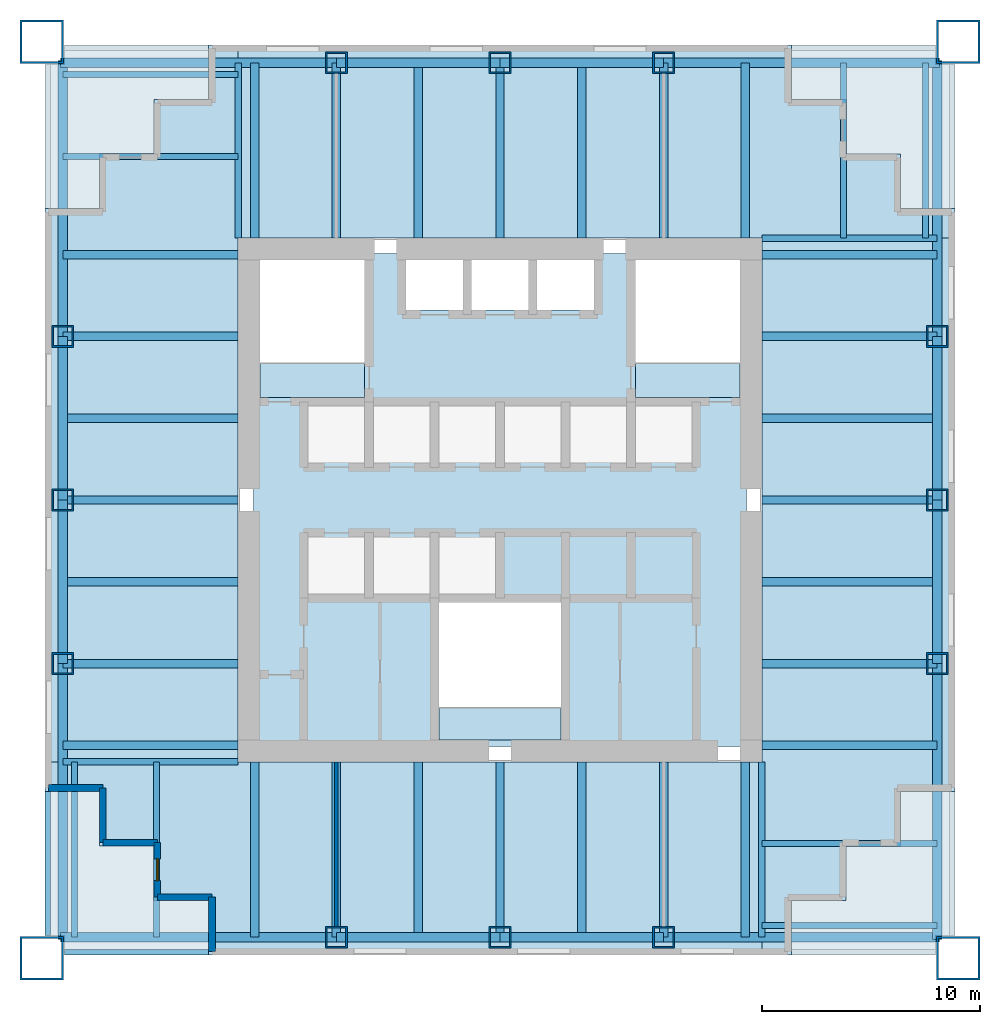
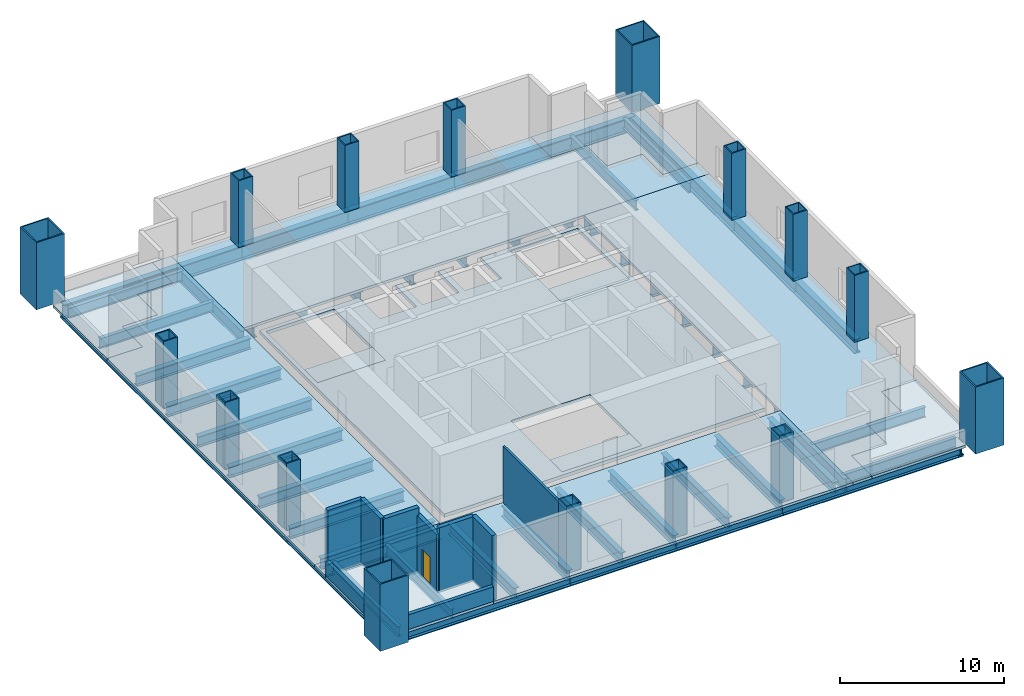
# One storey, part 1 of 5: 56 beams, 16 columns, 12 slabs, 9 walls, 1 door, 1 opening.
"""IFC4 building model written with IfcOpenShell, lengths in metres."""

from ifc_helpers import new_model, si_unit, direction, frame, frame_2d, origin, origin_2d, place, context, subcontext, project, spatial, polyline, rectangle, hollow_rectangle, i_section, outline, extrude, material, layer, layer_set, material_profile, profile_set, type_object, element, fill, save


model = new_model("IFC4")

# Units and contexts
model_context = context("Model", 3, precision=1e-05, world=origin(), true_north=direction((0.0, 1.0)))
body_context = subcontext(model_context, "Body", "Model", "MODEL_VIEW")
ifc_project = project(units=[si_unit("LENGTHUNIT", "METRE"), si_unit("AREAUNIT", "SQUARE_METRE"), si_unit("VOLUMEUNIT", "CUBIC_METRE"), si_unit("PLANEANGLEUNIT", "RADIAN"), si_unit("MASSUNIT", "GRAM", prefix="KILO")], contexts=[model_context])

# Site, building, storey
site_placement = place(None, origin())
site = spatial("IfcSite", under=ifc_project, at=site_placement, CompositionType="ELEMENT")
building_placement = place(site_placement, origin())
building = spatial("IfcBuilding", under=site, at=building_placement, Name="Tarangal Relay Tower", CompositionType="ELEMENT")
storey_placement = place(building_placement, frame((0.0, 0.0, 341.89990234375)))
storey = spatial("IfcBuildingStorey", under=building, at=storey_placement, Name="L76", CompositionType="ELEMENT", Elevation=341.89990234375)

# Columns
ifc_material_1 = material(Name="Steel ASTM A572 Grade 50", Category="steel")
ifc_material_profile_1 = material_profile(ifc_material_1, hollow_rectangle(XDim=2.0, YDim=2.0, WallThickness=0.094970703125, at=origin_2d()), Name="BOX2000X2000X95")
ifc_profile_set_1 = profile_set([ifc_material_profile_1], Name="Steel ASTM A572 Grade 50")
column_type_1 = type_object("IfcColumnType", Name="Mega column BOX2000X2000X95", PredefinedType="COLUMN", material=ifc_profile_set_1)
for number, where, z_axis, x_axis, name in (
    (1, (21.0, 21.0, 0.0), (0.0, 0.0, 1.0), (1.0, 0.0, 0.0), "Mega column MC4 NE L76"),
    (2, (21.0, -21.0, 0.0), (0.0, 0.0, 1.0), (1.0, 0.0, 0.0), "Mega column MC4 SE L76"),
    (3, (-21.0, -21.0, 0.0), (0.0, 0.0, 1.0), (1.0, 0.0, 0.0), "Mega column MC4 SW L76"),
    (4, (-21.0, 21.0, 0.0), (0.0, 0.0, 1.0), (1.0, 0.0, 0.0), "Mega column MC4 NW L76"),
):
    element("IfcColumn", number, at=place(storey_placement, frame(where, z_axis=z_axis, x_axis=x_axis)), inside=storey, type_object=column_type_1, Name=name, PredefinedType="COLUMN", context=body_context, shape_type="SweptSolid", body=[
        extrude(hollow_rectangle(XDim=2.0, YDim=2.0, WallThickness=0.094970703125, at=origin_2d()), origin(), (0.0, 0.0, 1.0), 5.0),
    ])
ifc_material_profile_2 = material_profile(ifc_material_1, hollow_rectangle(XDim=1.0, YDim=1.0, WallThickness=0.074951171875, at=origin_2d()), Name="BOX1000X1000X75")
ifc_profile_set_2 = profile_set([ifc_material_profile_2], Name="Steel ASTM A572 Grade 50")
column_type_2 = type_object("IfcColumnType", Name="Perimeter column BOX1000X1000X75", PredefinedType="COLUMN", material=ifc_profile_set_2)
for number, where, z_axis, x_axis, name in (
    (5, (-7.5, 20.0400390625, 0.0), (0.0, 0.0, 1.0), (1.0, 0.0, 0.0), "Perimeter column PC5 N L76"),
    (6, (0.0, 20.0400390625, 0.0), (0.0, 0.0, 1.0), (1.0, 0.0, 0.0), "Perimeter column PC5 N L76"),
    (7, (7.5, 20.0400390625, 0.0), (0.0, 0.0, 1.0), (1.0, 0.0, 0.0), "Perimeter column PC5 N L76"),
    (8, (20.0400390625, 7.5, 0.0), (0.0, 0.0, 1.0), (1.0, 0.0, 0.0), "Perimeter column PC5 E L76"),
    (9, (20.0400390625, 0.0, 0.0), (0.0, 0.0, 1.0), (1.0, 0.0, 0.0), "Perimeter column PC5 E L76"),
    (10, (20.0400390625, -7.5, 0.0), (0.0, 0.0, 1.0), (1.0, 0.0, 0.0), "Perimeter column PC5 E L76"),
    (11, (7.5, -20.0400390625, 0.0), (0.0, 0.0, 1.0), (1.0, 0.0, 0.0), "Perimeter column PC5 S L76"),
    (12, (0.0, -20.0400390625, 0.0), (0.0, 0.0, 1.0), (1.0, 0.0, 0.0), "Perimeter column PC5 S L76"),
    (13, (-7.5, -20.0400390625, 0.0), (0.0, 0.0, 1.0), (1.0, 0.0, 0.0), "Perimeter column PC5 S L76"),
    (14, (-20.0400390625, -7.5, 0.0), (0.0, 0.0, 1.0), (1.0, 0.0, 0.0), "Perimeter column PC5 W L76"),
    (15, (-20.0400390625, 0.0, 0.0), (0.0, 0.0, 1.0), (1.0, 0.0, 0.0), "Perimeter column PC5 W L76"),
    (16, (-20.0400390625, 7.5, 0.0), (0.0, 0.0, 1.0), (1.0, 0.0, 0.0), "Perimeter column PC5 W L76"),
):
    element("IfcColumn", number, at=place(storey_placement, frame(where, z_axis=z_axis, x_axis=x_axis)), inside=storey, type_object=column_type_2, Name=name, PredefinedType="COLUMN", context=body_context, shape_type="SweptSolid", body=[
        extrude(hollow_rectangle(XDim=1.0, YDim=1.0, WallThickness=0.074951171875, at=origin_2d()), origin(), (0.0, 0.0, 1.0), 5.0),
    ])

# Beams
ifc_material_2 = material(Name="Steel ASTM A992", Category="steel")
ifc_material_profile_3 = material_profile(ifc_material_2, i_section(OverallWidth=0.2666015625, OverallDepth=0.75439453125, WebThickness=0.01318359375, FlangeThickness=0.01708984375, at=origin_2d()), Name="W30X99")
ifc_profile_set_3 = profile_set([ifc_material_profile_3], Name="Steel ASTM A992")
beam_type_1 = type_object("IfcBeamType", Name="Corner beam W30X99", PredefinedType="JOIST", material=ifc_profile_set_3)
for number, where, z_axis, x_axis, name in (
    (17, (15.75, 12.0, -0.5771484375), (0.0, 1.0, 0.0), (-1.0, 0.0, 0.0), "Corner beam CB8 N L76"),
    (18, (19.5, 12.0, -0.5771484375), (0.0, 1.0, 0.0), (-1.0, 0.0, 0.0), "Corner beam CB8 N L76"),
    (19, (12.0, -15.75, -0.5771484375), (1.0, 0.0, 0.0), (0.0, 1.0, 0.0), "Corner beam CB8 E L76"),
    (20, (12.0, -19.5, -0.5771484375), (1.0, 0.0, 0.0), (0.0, 1.0, 0.0), "Corner beam CB8 E L76"),
    (21, (-15.75, -12.0, -0.5771484375), (0.0, -1.0, 0.0), (1.0, 0.0, 0.0), "Corner beam CB8 S L76"),
    (22, (-19.5, -12.0, -0.5771484375), (0.0, -1.0, 0.0), (1.0, 0.0, 0.0), "Corner beam CB8 S L76"),
    (23, (-12.0, 15.75, -0.5771484375), (-1.0, 0.0, 0.0), (0.0, -1.0, 0.0), "Corner beam CB8 W L76"),
    (24, (-12.0, 19.5, -0.5771484375), (-1.0, 0.0, 0.0), (0.0, -1.0, 0.0), "Corner beam CB8 W L76"),
):
    element("IfcBeam", number, at=place(storey_placement, frame(where, z_axis=z_axis, x_axis=x_axis)), inside=storey, type_object=beam_type_1, Name=name, PredefinedType="JOIST", context=body_context, shape_type="SweptSolid", body=[
        extrude(i_section(OverallWidth=0.2666015625, OverallDepth=0.75439453125, WebThickness=0.01318359375, FlangeThickness=0.01708984375, at=origin_2d()), origin(), (0.0, 0.0, 1.0), 8.0400390625),
    ])
ifc_material_profile_4 = material_profile(ifc_material_2, i_section(OverallWidth=0.307373046875, OverallDepth=0.927001953125, WebThickness=0.019287109375, FlangeThickness=0.031982421875, at=origin_2d()), Name="W36X194")
ifc_profile_set_4 = profile_set([ifc_material_profile_4], Name="Steel ASTM A992")
beam_type_2 = type_object("IfcBeamType", Name="Corner girder W36X194", PredefinedType="BEAM", material=ifc_profile_set_4)
for number, where, z_axis, x_axis, name in (
    (25, (12.0, 12.0, -0.66357421875), (1.0, 0.0, 0.0), (0.0, 1.0, 0.0), "Corner girder CG6 N L76"),
    (26, (12.0, -12.0, -0.66357421875), (0.0, -1.0, 0.0), (1.0, 0.0, 0.0), "Corner girder CG6 E L76"),
    (27, (-12.0, -12.0, -0.66357421875), (-1.0, 0.0, 0.0), (0.0, -1.0, 0.0), "Corner girder CG6 S L76"),
    (28, (-12.0, 12.0, -0.66357421875), (0.0, 1.0, 0.0), (-1.0, 0.0, 0.0), "Corner girder CG6 W L76"),
):
    element("IfcBeam", number, at=place(storey_placement, frame(where, z_axis=z_axis, x_axis=x_axis)), inside=storey, type_object=beam_type_2, Name=name, PredefinedType="BEAM", context=body_context, shape_type="SweptSolid", body=[
        extrude(i_section(OverallWidth=0.307373046875, OverallDepth=0.927001953125, WebThickness=0.019287109375, FlangeThickness=0.031982421875, at=origin_2d()), origin(), (0.0, 0.0, 1.0), 8.0400390625),
    ])
ifc_material_profile_5 = material_profile(ifc_material_2, i_section(OverallWidth=0.41650390625, OverallDepth=1.0693359375, WebThickness=0.0390625, FlangeThickness=0.070068359375, at=origin_2d()), Name="W40X503")
ifc_profile_set_5 = profile_set([ifc_material_profile_5], Name="Steel ASTM A992")
beam_type_3 = type_object("IfcBeamType", Name="Edge girder W40X503", PredefinedType="SPANDREL", material=ifc_profile_set_5)
beam_1_placement = place(storey_placement, frame((-20.14990234375, 20.0400390625, -0.734619140625), z_axis=(1.0, 0.0, 0.0), x_axis=(0.0, 1.0, 0.0)))
element("IfcBeam", 29, at=beam_1_placement, inside=storey, type_object=beam_type_3, Name="Edge girder EG8 N L76", PredefinedType="SPANDREL", context=body_context, shape_type="SweptSolid", body=[
    extrude(i_section(OverallWidth=0.41650390625, OverallDepth=1.0693359375, WebThickness=0.0390625, FlangeThickness=0.070068359375, at=origin_2d()), origin(), (0.0, 0.0, 1.0), 12.64990234375),
])
for number, where, z_axis, x_axis, name in (
    (30, (-7.5, 20.0400390625, -0.734619140625), (1.0, 0.0, 0.0), (0.0, 1.0, 0.0), "Edge girder EG8 N L76"),
    (31, (0.0, 20.0400390625, -0.734619140625), (1.0, 0.0, 0.0), (0.0, 1.0, 0.0), "Edge girder EG8 N L76"),
):
    element("IfcBeam", number, at=place(storey_placement, frame(where, z_axis=z_axis, x_axis=x_axis)), inside=storey, type_object=beam_type_3, Name=name, PredefinedType="SPANDREL", context=body_context, shape_type="SweptSolid", body=[
        extrude(i_section(OverallWidth=0.41650390625, OverallDepth=1.0693359375, WebThickness=0.0390625, FlangeThickness=0.070068359375, at=origin_2d()), origin(), (0.0, 0.0, 1.0), 7.5),
    ])
for number, where, z_axis, x_axis, name in (
    (32, (7.5, 20.0400390625, -0.734619140625), (1.0, 0.0, 0.0), (0.0, 1.0, 0.0), "Edge girder EG8 N L76"),
    (33, (20.0400390625, 20.14990234375, -0.734619140625), (0.0, -1.0, 0.0), (1.0, 0.0, 0.0), "Edge girder EG8 E L76"),
):
    element("IfcBeam", number, at=place(storey_placement, frame(where, z_axis=z_axis, x_axis=x_axis)), inside=storey, type_object=beam_type_3, Name=name, PredefinedType="SPANDREL", context=body_context, shape_type="SweptSolid", body=[
        extrude(i_section(OverallWidth=0.41650390625, OverallDepth=1.0693359375, WebThickness=0.0390625, FlangeThickness=0.070068359375, at=origin_2d()), origin(), (0.0, 0.0, 1.0), 12.64990234375),
    ])
for number, where, z_axis, x_axis, name in (
    (34, (20.0400390625, 7.5, -0.734619140625), (0.0, -1.0, 0.0), (1.0, 0.0, 0.0), "Edge girder EG8 E L76"),
    (35, (20.0400390625, 0.0, -0.734619140625), (0.0, -1.0, 0.0), (1.0, 0.0, 0.0), "Edge girder EG8 E L76"),
):
    element("IfcBeam", number, at=place(storey_placement, frame(where, z_axis=z_axis, x_axis=x_axis)), inside=storey, type_object=beam_type_3, Name=name, PredefinedType="SPANDREL", context=body_context, shape_type="SweptSolid", body=[
        extrude(i_section(OverallWidth=0.41650390625, OverallDepth=1.0693359375, WebThickness=0.0390625, FlangeThickness=0.070068359375, at=origin_2d()), origin(), (0.0, 0.0, 1.0), 7.5),
    ])
for number, where, z_axis, x_axis, name in (
    (36, (20.0400390625, -7.5, -0.734619140625), (0.0, -1.0, 0.0), (1.0, 0.0, 0.0), "Edge girder EG8 E L76"),
    (37, (20.14990234375, -20.0400390625, -0.734619140625), (-1.0, 0.0, 0.0), (0.0, -1.0, 0.0), "Edge girder EG8 S L76"),
):
    element("IfcBeam", number, at=place(storey_placement, frame(where, z_axis=z_axis, x_axis=x_axis)), inside=storey, type_object=beam_type_3, Name=name, PredefinedType="SPANDREL", context=body_context, shape_type="SweptSolid", body=[
        extrude(i_section(OverallWidth=0.41650390625, OverallDepth=1.0693359375, WebThickness=0.0390625, FlangeThickness=0.070068359375, at=origin_2d()), origin(), (0.0, 0.0, 1.0), 12.64990234375),
    ])
for number, where, z_axis, x_axis, name in (
    (38, (7.5, -20.0400390625, -0.734619140625), (-1.0, 0.0, 0.0), (0.0, -1.0, 0.0), "Edge girder EG8 S L76"),
    (39, (0.0, -20.0400390625, -0.734619140625), (-1.0, 0.0, 0.0), (0.0, -1.0, 0.0), "Edge girder EG8 S L76"),
):
    element("IfcBeam", number, at=place(storey_placement, frame(where, z_axis=z_axis, x_axis=x_axis)), inside=storey, type_object=beam_type_3, Name=name, PredefinedType="SPANDREL", context=body_context, shape_type="SweptSolid", body=[
        extrude(i_section(OverallWidth=0.41650390625, OverallDepth=1.0693359375, WebThickness=0.0390625, FlangeThickness=0.070068359375, at=origin_2d()), origin(), (0.0, 0.0, 1.0), 7.5),
    ])
for number, where, z_axis, x_axis, name in (
    (40, (-7.5, -20.0400390625, -0.734619140625), (-1.0, 0.0, 0.0), (0.0, -1.0, 0.0), "Edge girder EG8 S L76"),
    (41, (-20.0400390625, -20.14990234375, -0.734619140625), (0.0, 1.0, 0.0), (-1.0, 0.0, 0.0), "Edge girder EG8 W L76"),
):
    element("IfcBeam", number, at=place(storey_placement, frame(where, z_axis=z_axis, x_axis=x_axis)), inside=storey, type_object=beam_type_3, Name=name, PredefinedType="SPANDREL", context=body_context, shape_type="SweptSolid", body=[
        extrude(i_section(OverallWidth=0.41650390625, OverallDepth=1.0693359375, WebThickness=0.0390625, FlangeThickness=0.070068359375, at=origin_2d()), origin(), (0.0, 0.0, 1.0), 12.64990234375),
    ])
for number, where, z_axis, x_axis, name in (
    (42, (-20.0400390625, -7.5, -0.734619140625), (0.0, 1.0, 0.0), (-1.0, 0.0, 0.0), "Edge girder EG8 W L76"),
    (43, (-20.0400390625, 0.0, -0.734619140625), (0.0, 1.0, 0.0), (-1.0, 0.0, 0.0), "Edge girder EG8 W L76"),
):
    element("IfcBeam", number, at=place(storey_placement, frame(where, z_axis=z_axis, x_axis=x_axis)), inside=storey, type_object=beam_type_3, Name=name, PredefinedType="SPANDREL", context=body_context, shape_type="SweptSolid", body=[
        extrude(i_section(OverallWidth=0.41650390625, OverallDepth=1.0693359375, WebThickness=0.0390625, FlangeThickness=0.070068359375, at=origin_2d()), origin(), (0.0, 0.0, 1.0), 7.5),
    ])
beam_2_placement = place(storey_placement, frame((-20.0400390625, 7.5, -0.734619140625), z_axis=(0.0, 1.0, 0.0), x_axis=(-1.0, 0.0, 0.0)))
element("IfcBeam", 44, at=beam_2_placement, inside=storey, type_object=beam_type_3, Name="Edge girder EG8 W L76", PredefinedType="SPANDREL", context=body_context, shape_type="SweptSolid", body=[
    extrude(i_section(OverallWidth=0.41650390625, OverallDepth=1.0693359375, WebThickness=0.0390625, FlangeThickness=0.070068359375, at=origin_2d()), origin(), (0.0, 0.0, 1.0), 12.64990234375),
])
ifc_material_profile_6 = material_profile(ifc_material_2, i_section(OverallWidth=0.385986328125, OverallDepth=0.802490234375, WebThickness=0.023681640625, FlangeThickness=0.0419921875, at=origin_2d()), Name="W30X261")
ifc_profile_set_6 = profile_set([ifc_material_profile_6], Name="Steel ASTM A992")
beam_type_4 = type_object("IfcBeamType", Name="Floor beam W30X261", PredefinedType="BEAM", material=ifc_profile_set_6)
for number, where, z_axis, x_axis, name in (
    (45, (-11.25, 12.0, -0.601318359375), (0.0, 1.0, 0.0), (-1.0, 0.0, 0.0), "Floor beam RB13 N L76"),
    (46, (-7.5, 12.0, -0.601318359375), (0.0, 1.0, 0.0), (-1.0, 0.0, 0.0), "Floor beam RB13 N L76"),
    (47, (-3.75, 12.0, -0.601318359375), (0.0, 1.0, 0.0), (-1.0, 0.0, 0.0), "Floor beam RB13 N L76"),
    (48, (0.0, 12.0, -0.601318359375), (0.0, 1.0, 0.0), (-1.0, 0.0, 0.0), "Floor beam RB13 N L76"),
    (49, (3.75, 12.0, -0.601318359375), (0.0, 1.0, 0.0), (-1.0, 0.0, 0.0), "Floor beam RB13 N L76"),
    (50, (7.5, 12.0, -0.601318359375), (0.0, 1.0, 0.0), (-1.0, 0.0, 0.0), "Floor beam RB13 N L76"),
    (51, (11.25, 12.0, -0.601318359375), (0.0, 1.0, 0.0), (-1.0, 0.0, 0.0), "Floor beam RB13 N L76"),
    (52, (12.0, 11.25, -0.601318359375), (1.0, 0.0, 0.0), (0.0, 1.0, 0.0), "Floor beam RB13 E L76"),
    (53, (12.0, 7.5, -0.601318359375), (1.0, 0.0, 0.0), (0.0, 1.0, 0.0), "Floor beam RB13 E L76"),
    (54, (12.0, 3.75, -0.601318359375), (1.0, 0.0, 0.0), (0.0, 1.0, 0.0), "Floor beam RB13 E L76"),
    (55, (12.0, 0.0, -0.601318359375), (1.0, 0.0, 0.0), (0.0, 1.0, 0.0), "Floor beam RB13 E L76"),
    (56, (12.0, -3.75, -0.601318359375), (1.0, 0.0, 0.0), (0.0, 1.0, 0.0), "Floor beam RB13 E L76"),
    (57, (12.0, -7.5, -0.601318359375), (1.0, 0.0, 0.0), (0.0, 1.0, 0.0), "Floor beam RB13 E L76"),
    (58, (12.0, -11.25, -0.601318359375), (1.0, 0.0, 0.0), (0.0, 1.0, 0.0), "Floor beam RB13 E L76"),
    (59, (11.25, -12.0, -0.601318359375), (0.0, -1.0, 0.0), (1.0, 0.0, 0.0), "Floor beam RB13 S L76"),
    (60, (7.5, -12.0, -0.601318359375), (0.0, -1.0, 0.0), (1.0, 0.0, 0.0), "Floor beam RB13 S L76"),
    (61, (3.75, -12.0, -0.601318359375), (0.0, -1.0, 0.0), (1.0, 0.0, 0.0), "Floor beam RB13 S L76"),
    (62, (0.0, -12.0, -0.601318359375), (0.0, -1.0, 0.0), (1.0, 0.0, 0.0), "Floor beam RB13 S L76"),
    (63, (-3.75, -12.0, -0.601318359375), (0.0, -1.0, 0.0), (1.0, 0.0, 0.0), "Floor beam RB13 S L76"),
    (64, (-7.5, -12.0, -0.601318359375), (0.0, -1.0, 0.0), (1.0, 0.0, 0.0), "Floor beam RB13 S L76"),
    (65, (-11.25, -12.0, -0.601318359375), (0.0, -1.0, 0.0), (1.0, 0.0, 0.0), "Floor beam RB13 S L76"),
    (66, (-12.0, -11.25, -0.601318359375), (-1.0, 0.0, 0.0), (0.0, -1.0, 0.0), "Floor beam RB13 W L76"),
    (67, (-12.0, -7.5, -0.601318359375), (-1.0, 0.0, 0.0), (0.0, -1.0, 0.0), "Floor beam RB13 W L76"),
    (68, (-12.0, -3.75, -0.601318359375), (-1.0, 0.0, 0.0), (0.0, -1.0, 0.0), "Floor beam RB13 W L76"),
    (69, (-12.0, 0.0, -0.601318359375), (-1.0, 0.0, 0.0), (0.0, -1.0, 0.0), "Floor beam RB13 W L76"),
    (70, (-12.0, 3.75, -0.601318359375), (-1.0, 0.0, 0.0), (0.0, -1.0, 0.0), "Floor beam RB13 W L76"),
    (71, (-12.0, 7.5, -0.601318359375), (-1.0, 0.0, 0.0), (0.0, -1.0, 0.0), "Floor beam RB13 W L76"),
    (72, (-12.0, 11.25, -0.601318359375), (-1.0, 0.0, 0.0), (0.0, -1.0, 0.0), "Floor beam RB13 W L76"),
):
    element("IfcBeam", number, at=place(storey_placement, frame(where, z_axis=z_axis, x_axis=x_axis)), inside=storey, type_object=beam_type_4, Name=name, PredefinedType="BEAM", context=body_context, shape_type="SweptSolid", body=[
        extrude(i_section(OverallWidth=0.385986328125, OverallDepth=0.802490234375, WebThickness=0.023681640625, FlangeThickness=0.0419921875, at=origin_2d()), origin(), (0.0, 0.0, 1.0), 8.0400390625),
    ])

# Slabs
ifc_material_3 = material(Name="Concrete fc' 35 MPa", Category="concrete")
ifc_layer_1 = layer(ifc_material_3, 0.25)
ifc_layer_set_1 = layer_set([ifc_layer_1], Name="Core floor slab 250")
slab_type_1 = type_object("IfcSlabType", Name="Core floor slab 250", PredefinedType="FLOOR", material=ifc_layer_set_1)
slab_1_placement = place(storey_placement, frame((0.0, 0.0, -0.25)))
element("IfcSlab", 73, at=slab_1_placement, inside=storey, type_object=slab_type_1, Name="Core floor slab L76", PredefinedType="FLOOR", context=body_context, shape_type="SweptSolid", body=[
    extrude(outline(polyline([(11.300048828125, 11.300048828125), (11.300048828125, -11.300048828125), (-11.300048828125, -11.300048828125), (-11.300048828125, 11.300048828125), (-4.300048828125, 11.300048828125), (-4.300048828125, 8.699951171875), (-1.699951171875, 8.699951171875), (-1.699951171875, 11.300048828125), (-1.300048828125, 11.300048828125), (-1.300048828125, 8.699951171875), (1.300048828125, 8.699951171875), (1.300048828125, 11.300048828125), (1.699951171875, 11.300048828125), (1.699951171875, 8.699951171875), (4.300048828125, 8.699951171875), (4.300048828125, 11.300048828125), (11.300048828125, 11.300048828125)]), holes=[polyline([(-2.800048828125, -4.699951171875), (-2.800048828125, -11.0), (2.800048828125, -11.0), (2.800048828125, -4.699951171875), (-2.800048828125, -4.699951171875)]), polyline([(-6.199951171875, 11.0), (-11.0, 11.0), (-11.0, 4.699951171875), (-6.199951171875, 4.699951171875), (-6.199951171875, 11.0)]), polyline([(11.0, 11.0), (6.199951171875, 11.0), (6.199951171875, 4.699951171875), (11.0, 4.699951171875), (11.0, 11.0)])]), origin(), (0.0, 0.0, 1.0), 0.25),
])
ifc_layer_2 = layer(ifc_material_3, 0.199951171875)
ifc_layer_set_2 = layer_set([ifc_layer_2], Name="Floor slab 200")
slab_type_2 = type_object("IfcSlabType", Name="Floor slab 200", PredefinedType="FLOOR", material=ifc_layer_set_2)
slab_2_placement = place(storey_placement, frame((0.0, 0.0, -0.199951171875)))
element("IfcSlab", 74, at=slab_2_placement, inside=storey, type_object=slab_type_2, Name="Floor slab FS2 L76 north bay", PredefinedType="FLOOR", context=body_context, shape_type="SweptSolid", body=[
    extrude(outline(polyline([(13.35009765625, 20.85009765625), (13.35009765625, 18.35009765625), (15.85009765625, 18.35009765625), (15.85009765625, 15.85009765625), (18.35009765625, 15.85009765625), (18.35009765625, 13.35009765625), (20.85009765625, 13.35009765625), (20.85009765625, 12.0), (-12.0, 12.0), (-12.0, 20.85009765625), (13.35009765625, 20.85009765625)])), origin(), (0.0, 0.0, 1.0), 0.199951171875),
])
slab_3_placement = place(storey_placement, frame((0.0, 0.0, -0.199951171875)))
element("IfcSlab", 75, at=slab_3_placement, inside=storey, type_object=slab_type_2, Name="Floor slab FS2 L76 east bay", PredefinedType="FLOOR", context=body_context, shape_type="SweptSolid", body=[
    extrude(outline(polyline([(20.85009765625, -13.35009765625), (18.35009765625, -13.35009765625), (18.35009765625, -15.85009765625), (15.85009765625, -15.85009765625), (15.85009765625, -18.35009765625), (13.35009765625, -18.35009765625), (13.35009765625, -20.85009765625), (12.0, -20.85009765625), (12.0, 12.0), (20.85009765625, 12.0), (20.85009765625, -13.35009765625)])), origin(), (0.0, 0.0, 1.0), 0.199951171875),
])
slab_4_placement = place(storey_placement, frame((0.0, 0.0, -0.199951171875)))
element("IfcSlab", 76, at=slab_4_placement, inside=storey, type_object=slab_type_2, Name="Floor slab FS2 L76 south bay", PredefinedType="FLOOR", context=body_context, shape_type="SweptSolid", body=[
    extrude(outline(polyline([(-13.35009765625, -20.85009765625), (-13.35009765625, -18.35009765625), (-15.85009765625, -18.35009765625), (-15.85009765625, -15.85009765625), (-18.35009765625, -15.85009765625), (-18.35009765625, -13.35009765625), (-20.85009765625, -13.35009765625), (-20.85009765625, -12.0), (12.0, -12.0), (12.0, -20.85009765625), (-13.35009765625, -20.85009765625)])), origin(), (0.0, 0.0, 1.0), 0.199951171875),
])
slab_5_placement = place(storey_placement, frame((0.0, 0.0, -0.199951171875)))
element("IfcSlab", 77, at=slab_5_placement, inside=storey, type_object=slab_type_2, Name="Floor slab FS2 L76 west bay", PredefinedType="FLOOR", context=body_context, shape_type="SweptSolid", body=[
    extrude(outline(polyline([(-12.0, 20.85009765625), (-12.0, -12.0), (-20.85009765625, -12.0), (-20.85009765625, 13.35009765625), (-18.35009765625, 13.35009765625), (-18.35009765625, 15.85009765625), (-15.85009765625, 15.85009765625), (-15.85009765625, 18.35009765625), (-13.35009765625, 18.35009765625), (-13.35009765625, 20.85009765625), (-12.0, 20.85009765625)])), origin(), (0.0, 0.0, 1.0), 0.199951171875),
])
ifc_layer_3 = layer(ifc_material_3, 0.199951171875)
ifc_layer_set_3 = layer_set([ifc_layer_3], Name="Ledge slab 200")
slab_type_3 = type_object("IfcSlabType", Name="Ledge slab 200", PredefinedType="FLOOR", material=ifc_layer_set_3)
slab_6_placement = place(storey_placement, frame((0.0, 0.0, -0.199951171875)))
element("IfcSlab", 78, at=slab_6_placement, inside=storey, type_object=slab_type_3, Name="Corner ledge NE L76", PredefinedType="FLOOR", context=body_context, shape_type="SweptSolid", body=[
    extrude(outline(polyline([(13.35009765625, 20.85009765625), (13.35009765625, 18.35009765625), (15.85009765625, 18.35009765625), (15.85009765625, 15.85009765625), (18.35009765625, 15.85009765625), (18.35009765625, 13.35009765625), (20.85009765625, 13.35009765625), (20.85009765625, 19.949951171875), (19.949951171875, 19.949951171875), (19.949951171875, 20.85009765625), (13.35009765625, 20.85009765625)])), origin(), (0.0, 0.0, 1.0), 0.199951171875),
])
slab_7_placement = place(storey_placement, frame((0.0, 0.0, -0.199951171875)))
element("IfcSlab", 79, at=slab_7_placement, inside=storey, type_object=slab_type_3, Name="Corner ledge SE L76", PredefinedType="FLOOR", context=body_context, shape_type="SweptSolid", body=[
    extrude(outline(polyline([(20.85009765625, -13.35009765625), (18.35009765625, -13.35009765625), (18.35009765625, -15.85009765625), (15.85009765625, -15.85009765625), (15.85009765625, -18.35009765625), (13.35009765625, -18.35009765625), (13.35009765625, -20.85009765625), (19.949951171875, -20.85009765625), (19.949951171875, -19.949951171875), (20.85009765625, -19.949951171875), (20.85009765625, -13.35009765625)])), origin(), (0.0, 0.0, 1.0), 0.199951171875),
])
slab_8_placement = place(storey_placement, frame((0.0, 0.0, -0.199951171875)))
element("IfcSlab", 80, at=slab_8_placement, inside=storey, type_object=slab_type_3, Name="Corner ledge SW L76", PredefinedType="FLOOR", context=body_context, shape_type="SweptSolid", body=[
    extrude(outline(polyline([(-13.35009765625, -20.85009765625), (-13.35009765625, -18.35009765625), (-15.85009765625, -18.35009765625), (-15.85009765625, -15.85009765625), (-18.35009765625, -15.85009765625), (-18.35009765625, -13.35009765625), (-20.85009765625, -13.35009765625), (-20.85009765625, -19.949951171875), (-19.949951171875, -19.949951171875), (-19.949951171875, -20.85009765625), (-13.35009765625, -20.85009765625)])), origin(), (0.0, 0.0, 1.0), 0.199951171875),
])
slab_9_placement = place(storey_placement, frame((0.0, 0.0, -0.199951171875)))
element("IfcSlab", 81, at=slab_9_placement, inside=storey, type_object=slab_type_3, Name="Corner ledge NW L76", PredefinedType="FLOOR", context=body_context, shape_type="SweptSolid", body=[
    extrude(outline(polyline([(-20.85009765625, 13.35009765625), (-18.35009765625, 13.35009765625), (-18.35009765625, 15.85009765625), (-15.85009765625, 15.85009765625), (-15.85009765625, 18.35009765625), (-13.35009765625, 18.35009765625), (-13.35009765625, 20.85009765625), (-19.949951171875, 20.85009765625), (-19.949951171875, 19.949951171875), (-20.85009765625, 19.949951171875), (-20.85009765625, 13.35009765625)])), origin(), (0.0, 0.0, 1.0), 0.199951171875),
])
ifc_layer_4 = layer(ifc_material_3, 0.199951171875)
ifc_layer_set_4 = layer_set([ifc_layer_4], Name="Stair landing 200")
slab_type_4 = type_object("IfcSlabType", Name="Stair landing 200", PredefinedType="LANDING", material=ifc_layer_set_4)
slab_10_placement = place(storey_placement, frame((0.0, 0.0, -0.199951171875)))
element("IfcSlab", 82, at=slab_10_placement, inside=storey, type_object=slab_type_4, Name="Stair ST-A top landing L76", PredefinedType="LANDING", context=body_context, shape_type="SweptSolid", body=[
    extrude(outline(polyline([(-11.0, 4.699951171875), (-6.199951171875, 4.699951171875), (-6.199951171875, 6.300048828125), (-11.0, 6.300048828125), (-11.0, 4.699951171875)])), origin(), (0.0, 0.0, 1.0), 0.199951171875),
])
slab_11_placement = place(storey_placement, frame((0.0, 0.0, -0.199951171875)))
element("IfcSlab", 83, at=slab_11_placement, inside=storey, type_object=slab_type_4, Name="Stair ST-B top landing L76", PredefinedType="LANDING", context=body_context, shape_type="SweptSolid", body=[
    extrude(outline(polyline([(6.199951171875, 4.699951171875), (11.0, 4.699951171875), (11.0, 6.300048828125), (6.199951171875, 6.300048828125), (6.199951171875, 4.699951171875)])), origin(), (0.0, 0.0, 1.0), 0.199951171875),
])
slab_12_placement = place(storey_placement, frame((0.0, 0.0, -0.199951171875)))
element("IfcSlab", 84, at=slab_12_placement, inside=storey, type_object=slab_type_4, Name="Stair ST-C top landing L76", PredefinedType="LANDING", context=body_context, shape_type="SweptSolid", body=[
    extrude(outline(polyline([(-2.800048828125, -11.0), (2.800048828125, -11.0), (2.800048828125, -9.5), (-2.800048828125, -9.5), (-2.800048828125, -11.0)])), origin(), (0.0, 0.0, 1.0), 0.199951171875),
])

# Walls
ifc_material_4 = material(Name="Insulated precast concrete fc' 40 MPa", Category="concrete")
ifc_layer_5 = layer(ifc_material_4, 0.300048828125)
ifc_layer_set_5 = layer_set([ifc_layer_5], Name="Insulated precast concrete fc' 40 MPa")
wall_type_1 = type_object("IfcWallType", Name="Facade wall precast 300", PredefinedType="SOLIDWALL", material=ifc_layer_set_5)
for number, where, z_axis, x_axis, name in (
    (85, (-13.199951171875, -20.699951171875, 0.0), (0.0, 0.0, 1.0), (0.0, 1.0, 0.0), "Facade wall S facade L76"),
    (86, (-13.199951171875, -18.199951171875, 0.0), (0.0, 0.0, 1.0), (-1.0, 0.0, 0.0), "Facade wall S facade L76"),
):
    element("IfcWall", number, at=place(storey_placement, frame(where, z_axis=z_axis, x_axis=x_axis)), inside=storey, type_object=wall_type_1, Name=name, PredefinedType="SOLIDWALL", context=body_context, shape_type="SweptSolid", body=[
        extrude(rectangle(XDim=2.5, YDim=0.300048828125, at=frame_2d((1.25, 0.0))), origin(), (0.0, 0.0, 1.0), 4.800048828125),
    ])

# Wall, opening, door
wall_1_placement = place(storey_placement, frame((-15.699951171875, -18.199951171875, 0.0), z_axis=(0.0, 0.0, 1.0), x_axis=(0.0, 1.0, 0.0)))
wall_1 = element("IfcWall", 87, at=wall_1_placement, inside=storey, type_object=wall_type_1, Name="Facade wall S facade L76", PredefinedType="SOLIDWALL", context=body_context, shape_type="SweptSolid", body=[
    extrude(rectangle(XDim=2.5, YDim=0.300048828125, at=frame_2d((1.25, 0.0))), origin(), (0.0, 0.0, 1.0), 4.2666015625),
])
opening_placement = place(wall_1_placement, frame((0.75, 0.0, 0.0)))
opening = element("IfcOpeningElement", 88, at=opening_placement, cuts=wall_1, Name="Opening MD1", PredefinedType="OPENING", context=body_context, shape_type="SweptSolid", body=[
    extrude(rectangle(XDim=1.0, YDim=2.10009765625, at=frame_2d((0.5, 1.050048828125))), frame((0.0, 0.159912109375, 0.0), z_axis=(0.0, -1.0, 0.0), x_axis=(1.0, 0.0, 0.0)), (0.0, 0.0, 1.0), 0.320068359375),
])
ifc_material_5 = material(Name="Steel door with hardwood frame", Category="steel")
door_type = type_object("IfcDoorType", Name="Maintenance access door 1000 x 2100", OperationType="SINGLE_SWING_RIGHT", PredefinedType="DOOR", material=ifc_material_5)
door_placement = place(opening_placement, origin())
door = element("IfcDoor", 89, at=door_placement, inside=storey, type_object=door_type, Name="Maintenance access door MD1 SW L76", OperationType="SINGLE_SWING_RIGHT", OverallHeight=2.10009765625, OverallWidth=1.0, PredefinedType="DOOR", context=body_context, shape_type="SweptSolid", body=[
    extrude(rectangle(XDim=1.0, YDim=2.10009765625, at=frame_2d((0.5, 1.050048828125))), frame((0.0, 0.02490234375, 0.0), z_axis=(0.0, -1.0, 0.0), x_axis=(1.0, 0.0, 0.0)), (0.0, 0.0, 1.0), 0.050048828125),
])
fill(opening, door)

# Walls
for number, where, z_axis, x_axis, name in (
    (90, (-15.699951171875, -15.699951171875, 0.0), (0.0, 0.0, 1.0), (-1.0, 0.0, 0.0), "Facade wall S facade L76"),
    (91, (-18.199951171875, -15.699951171875, 0.0), (0.0, 0.0, 1.0), (0.0, 1.0, 0.0), "Facade wall S facade L76"),
    (92, (-18.199951171875, -13.199951171875, 0.0), (0.0, 0.0, 1.0), (-1.0, 0.0, 0.0), "Facade wall S facade L76"),
):
    element("IfcWall", number, at=place(storey_placement, frame(where, z_axis=z_axis, x_axis=x_axis)), inside=storey, type_object=wall_type_1, Name=name, PredefinedType="SOLIDWALL", context=body_context, shape_type="SweptSolid", body=[
        extrude(rectangle(XDim=2.5, YDim=0.300048828125, at=frame_2d((1.25, 0.0))), origin(), (0.0, 0.0, 1.0), 4.800048828125),
    ])
ifc_material_6 = material(Name="Concrete parapet with metal coping", Category="concrete")
ifc_layer_6 = layer(ifc_material_6, 0.25)
ifc_layer_set_6 = layer_set([ifc_layer_6], Name="Parapet 250")
wall_type_2 = type_object("IfcWallType", Name="Parapet 250", PredefinedType="PARAPET", material=ifc_layer_set_6)
for number, where, z_axis, x_axis, name in (
    (93, (-13.35009765625, -20.72509765625, 0.0), (0.0, 0.0, 1.0), (-1.0, 0.0, 0.0), "Ledge parapet PP1 SW L76"),
    (94, (-20.72509765625, -19.949951171875, 0.0), (0.0, 0.0, 1.0), (0.0, 1.0, 0.0), "Ledge parapet PP1 SW L76"),
):
    element("IfcWall", number, at=place(storey_placement, frame(where, z_axis=z_axis, x_axis=x_axis)), inside=storey, type_object=wall_type_2, Name=name, PredefinedType="PARAPET", context=body_context, shape_type="SweptSolid", body=[
        extrude(rectangle(XDim=6.599853515625, YDim=0.25, at=frame_2d((3.2998046875, 0.0))), origin(), (0.0, 0.0, 1.0), 1.10009765625),
    ])
ifc_material_7 = material(Name="Gypsum board on steel studs", Category="steel")
ifc_layer_7 = layer(ifc_material_7, 0.14990234375)
ifc_layer_set_7 = layer_set([ifc_layer_7], Name="Partition 150")
wall_type_3 = type_object("IfcWallType", Name="Partition 150", PredefinedType="PARTITIONING", material=ifc_layer_set_7)
wall_2_placement = place(storey_placement, frame((-7.5, -12.0, 0.0), z_axis=(0.0, 0.0, 1.0), x_axis=(0.0, -1.0, 0.0)))
element("IfcWall", 95, at=wall_2_placement, inside=storey, type_object=wall_type_3, Name="Partition PT1 L76", PredefinedType="PARTITIONING", context=body_context, shape_type="SweptSolid", body=[
    extrude(rectangle(XDim=7.5400390625, YDim=0.14990234375, at=frame_2d((3.77001953125, 0.0))), origin(), (0.0, 0.0, 1.0), 4.193115234375),
])

save(model, "model.ifc")
